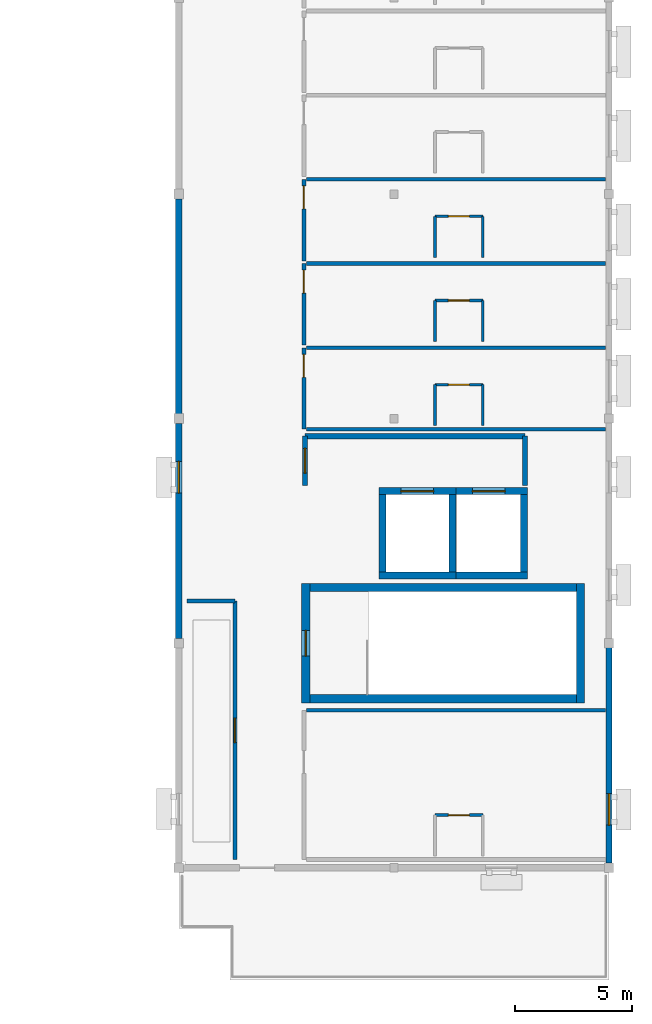
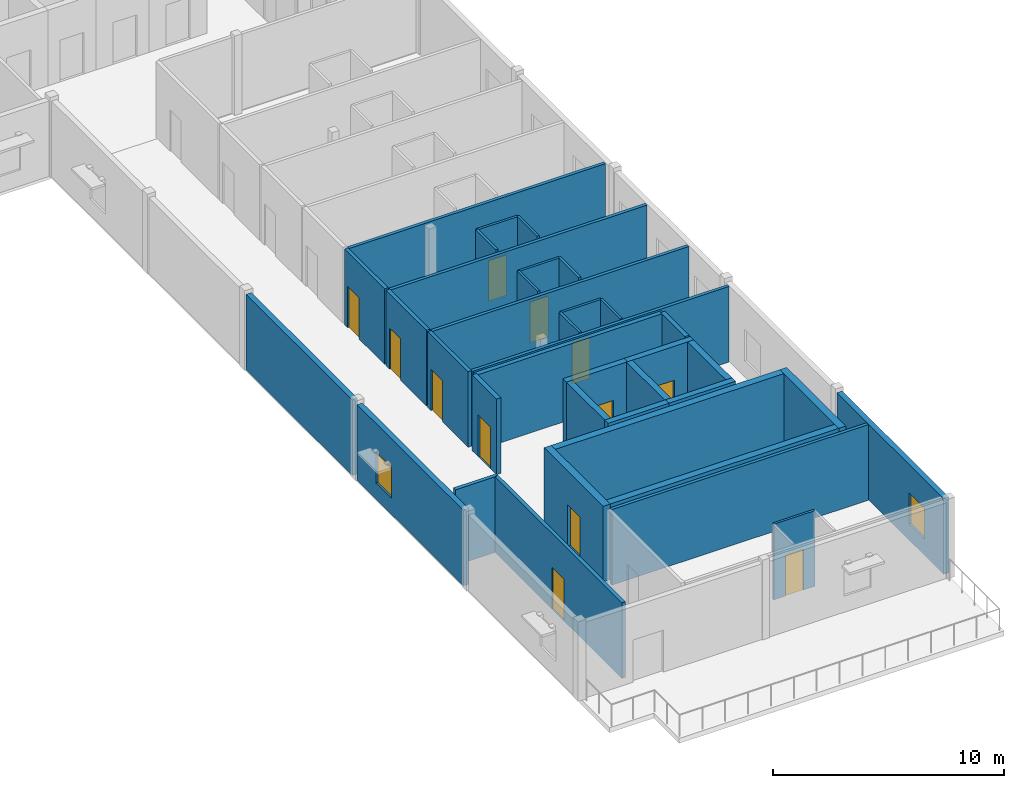
# One storey, part 4 of 9: 37 walls, 12 doors, 2 windows, 14 openings.
"""IFC4 building model written with IfcOpenShell, lengths in metres."""

from ifc_helpers import new_model, si_unit, direction, frame, frame_2d, origin, place, context, subcontext, project, spatial, rectangle, extrude, material, layer, layer_set, type_object, element, fill, save


model = new_model("IFC4")

# Units and contexts
model_context = context("Model", 3, precision=1e-05, world=origin(), true_north=direction((0.0, 1.0)))
body_context = subcontext(model_context, "Body", "Model", "MODEL_VIEW")
ifc_project = project(units=[si_unit("LENGTHUNIT", "METRE"), si_unit("AREAUNIT", "SQUARE_METRE"), si_unit("VOLUMEUNIT", "CUBIC_METRE"), si_unit("PLANEANGLEUNIT", "RADIAN"), si_unit("MASSUNIT", "GRAM", prefix="KILO")], contexts=[model_context])

# Site, building, storey
site_placement = place(None, origin())
site = spatial("IfcSite", under=ifc_project, at=site_placement, CompositionType="ELEMENT")
building_placement = place(site_placement, origin())
building = spatial("IfcBuilding", under=site, at=building_placement, Name="Veldera Park Congress Hotel", CompositionType="ELEMENT")
storey_placement = place(building_placement, frame((0.0, 0.0, 46.60009765625)))
storey = spatial("IfcBuildingStorey", under=building, at=storey_placement, Name="L11", CompositionType="ELEMENT", Elevation=46.60009765625)

# Wall, opening, window
ifc_material_1 = material(Name="Cross-laminated timber CLT V2M1.1", Category="wood")
ifc_layer_1 = layer(ifc_material_1, 0.264892578125)
ifc_layer_set_1 = layer_set([ifc_layer_1], Name="Cross-laminated timber CLT V2M1.1")
wall_type_1 = type_object("IfcWallType", Name="EW-CLT265", PredefinedType="STANDARD", material=ifc_layer_set_1)
wall_1_placement = place(storey_placement, frame((84.0, -18.406982421875, 0.0), z_axis=(0.0, 0.0, 1.0), x_axis=(0.0, 1.0, 0.0)))
wall_1 = element("IfcWall", 1, at=wall_1_placement, inside=storey, type_object=wall_type_1, Name="L11 Exterior Wall EW3-L11-0451", PredefinedType="STANDARD", context=body_context, shape_type="SweptSolid", body=[
    extrude(rectangle(XDim=9.2138671875, YDim=0.264892578125, at=frame_2d((4.60693359375, 0.0))), origin(), (0.0, 0.0, 1.0), 3.989990234375),
])
opening_1_placement = place(wall_1_placement, frame((1.62841796875, 0.0, 0.85009765625)))
opening_1 = element("IfcOpeningElement", 2, at=opening_1_placement, cuts=wall_1, Name="Opening WIN-1350", PredefinedType="OPENING", context=body_context, shape_type="SweptSolid", body=[
    extrude(rectangle(XDim=1.35009765625, YDim=1.64990234375, at=frame_2d((0.675048828125, 0.824951171875))), frame((0.0, 0.14453125, 0.0), z_axis=(0.0, -1.0, 0.0), x_axis=(1.0, 0.0, 0.0)), (0.0, 0.0, 1.0), 0.288818359375),
])
ifc_material_2 = material(Name="Low-E Triple Insulating Glass Unit (SHGC 0.22)", Category="glass")
window_type = type_object("IfcWindowType", Name="WIN-1350", PartitioningType="SINGLE_PANEL", PredefinedType="WINDOW", material=ifc_material_2)
window_1_placement = place(opening_1_placement, origin())
window_1 = element("IfcWindow", 3, at=window_1_placement, inside=storey, type_object=window_type, Name="L11 Window WIN-1350 344", OverallHeight=1.64990234375, OverallWidth=1.35009765625, PartitioningType="SINGLE_PANEL", PredefinedType="WINDOW", context=body_context, shape_type="SweptSolid", body=[
    extrude(rectangle(XDim=1.35009765625, YDim=1.64990234375, at=frame_2d((0.675048828125, 0.824951171875))), frame((0.0, 0.030029296875, 0.0), z_axis=(0.0, -1.0, 0.0), x_axis=(1.0, 0.0, 0.0)), (0.0, 0.0, 1.0), 0.06005859375),
])
fill(opening_1, window_1)

# Wall
wall_2_placement = place(storey_placement, frame((65.60009765625, 9.991943359375, 0.0), z_axis=(0.0, 0.0, 1.0), x_axis=(0.0, -1.0, 0.0)))
element("IfcWall", 4, at=wall_2_placement, inside=storey, type_object=wall_type_1, Name="L11 Exterior Wall EW3-L11-0468", PredefinedType="STANDARD", context=body_context, shape_type="SweptSolid", body=[
    extrude(rectangle(XDim=9.183837890625, YDim=0.264892578125, at=frame_2d((4.591796875, 0.0))), origin(), (0.0, 0.0, 1.0), 3.989990234375),
])

# Wall, opening, window
wall_3_placement = place(storey_placement, frame((65.60009765625, 0.39208984375, 0.0), z_axis=(0.0, 0.0, 1.0), x_axis=(0.0, -1.0, 0.0)))
wall_3 = element("IfcWall", 5, at=wall_3_placement, inside=storey, type_object=wall_type_1, Name="L11 Exterior Wall EW3-L11-0469", PredefinedType="STANDARD", context=body_context, shape_type="SweptSolid", body=[
    extrude(rectangle(XDim=9.18408203125, YDim=0.264892578125, at=frame_2d((4.592041015625, 0.0))), origin(), (0.0, 0.0, 1.0), 3.989990234375),
])
opening_2_placement = place(wall_3_placement, frame((1.62109375, 0.0, 0.85009765625)))
opening_2 = element("IfcOpeningElement", 6, at=opening_2_placement, cuts=wall_3, Name="Opening WIN-1350", PredefinedType="OPENING", context=body_context, shape_type="SweptSolid", body=[
    extrude(rectangle(XDim=1.35009765625, YDim=1.64990234375, at=frame_2d((0.675048828125, 0.824951171875))), frame((0.0, 0.14453125, 0.0), z_axis=(0.0, -1.0, 0.0), x_axis=(1.0, 0.0, 0.0)), (0.0, 0.0, 1.0), 0.288818359375),
])
window_2_placement = place(opening_2_placement, origin())
window_2 = element("IfcWindow", 7, at=window_2_placement, inside=storey, type_object=window_type, Name="L11 Window WIN-1350 355", OverallHeight=1.64990234375, OverallWidth=1.35009765625, PartitioningType="SINGLE_PANEL", PredefinedType="WINDOW", context=body_context, shape_type="SweptSolid", body=[
    extrude(rectangle(XDim=1.35009765625, YDim=1.64990234375, at=frame_2d((0.675048828125, 0.824951171875))), frame((0.0, 0.030029296875, 0.0), z_axis=(0.0, -1.0, 0.0), x_axis=(1.0, 0.0, 0.0)), (0.0, 0.0, 1.0), 0.06005859375),
])
fill(opening_2, window_2)

# Wall, opening, door
ifc_material_3 = material(Name="Fire-Rated Gypsum Board on Cold-Formed Steel Studs", Category="steel")
ifc_layer_2 = layer(ifc_material_3, 0.1201171875)
ifc_layer_set_2 = layer_set([ifc_layer_2], Name="Fire-Rated Gypsum Board on Cold-Formed Steel Studs")
wall_type_2 = type_object("IfcWallType", Name="IW-BATH120", PredefinedType="PARTITIONING", material=ifc_layer_set_2)
wall_4_placement = place(storey_placement, frame((76.550048828125, -16.35009765625, 0.0), z_axis=(0.0, 0.0, 1.0), x_axis=(1.0, 0.0, 0.0)))
wall_4 = element("IfcWall", 8, at=wall_4_placement, inside=storey, type_object=wall_type_2, Name="L11 Partition Wall IW3-L11-01799", PredefinedType="PARTITIONING", context=body_context, shape_type="SweptSolid", body=[
    extrude(rectangle(XDim=2.050048828125, YDim=0.1201171875, at=frame_2d((1.02490234375, 0.0))), origin(), (0.0, 0.0, 1.0), 3.989990234375),
])
opening_3_placement = place(wall_4_placement, frame((0.574951171875, 0.0, 0.0)))
opening_3 = element("IfcOpeningElement", 9, at=opening_3_placement, cuts=wall_4, Name="Opening ID-BATH090", PredefinedType="OPENING", context=body_context, shape_type="SweptSolid", body=[
    extrude(rectangle(XDim=0.89990234375, YDim=2.14990234375, at=frame_2d((0.449951171875, 1.074951171875))), frame((0.0, 0.072021484375, 0.0), z_axis=(0.0, -1.0, 0.0), x_axis=(1.0, 0.0, 0.0)), (0.0, 0.0, 1.0), 0.14404296875),
])
ifc_material_4 = material(Name="Solid Core White Oak Architectural Door", Category="wood")
door_type_1 = type_object("IfcDoorType", Name="ID-BATH090", OperationType="NOTDEFINED", PredefinedType="DOOR", material=ifc_material_4)
door_1_placement = place(opening_3_placement, origin())
door_1 = element("IfcDoor", 10, at=door_1_placement, inside=storey, type_object=door_type_1, Name="L11 En-suite 299 Door ID3-L11-0737 (DR3-ID3-L11-0737)", OperationType="SINGLE_SWING_LEFT", OverallHeight=2.14990234375, OverallWidth=0.89990234375, PredefinedType="DOOR", context=body_context, shape_type="SweptSolid", body=[
    extrude(rectangle(XDim=0.89990234375, YDim=2.14990234375, at=frame_2d((0.449951171875, 1.074951171875))), frame((0.0, 0.02490234375, 0.0), z_axis=(0.0, -1.0, 0.0), x_axis=(1.0, 0.0, 0.0)), (0.0, 0.0, 1.0), 0.050048828125),
])
fill(opening_3, door_1)

# Walls
for number, where, z_axis, x_axis, name in (
    (11, (76.550048828125, 0.300048828125, 0.0), (0.0, 0.0, 1.0), (0.0, 1.0, 0.0), "L11 Partition Wall IW3-L11-01803"),
    (12, (78.60009765625, 0.300048828125, 0.0), (0.0, 0.0, 1.0), (0.0, 1.0, 0.0), "L11 Partition Wall IW3-L11-01804"),
):
    element("IfcWall", number, at=place(storey_placement, frame(where, z_axis=z_axis, x_axis=x_axis)), inside=storey, type_object=wall_type_2, Name=name, PredefinedType="PARTITIONING", context=body_context, shape_type="SweptSolid", body=[
        extrude(rectangle(XDim=1.75, YDim=0.1201171875, at=frame_2d((0.875, 0.0))), origin(), (0.0, 0.0, 1.0), 3.989990234375),
    ])

# Wall, opening, door
wall_5_placement = place(storey_placement, frame((76.550048828125, 2.050048828125, 0.0), z_axis=(0.0, 0.0, 1.0), x_axis=(1.0, 0.0, 0.0)))
wall_5 = element("IfcWall", 13, at=wall_5_placement, inside=storey, type_object=wall_type_2, Name="L11 Partition Wall IW3-L11-01805", PredefinedType="PARTITIONING", context=body_context, shape_type="SweptSolid", body=[
    extrude(rectangle(XDim=2.050048828125, YDim=0.1201171875, at=frame_2d((1.02490234375, 0.0))), origin(), (0.0, 0.0, 1.0), 3.989990234375),
])
opening_4_placement = place(wall_5_placement, frame((0.574951171875, 0.0, 0.0)))
opening_4 = element("IfcOpeningElement", 14, at=opening_4_placement, cuts=wall_5, Name="Opening ID-BATH090", PredefinedType="OPENING", context=body_context, shape_type="SweptSolid", body=[
    extrude(rectangle(XDim=0.89990234375, YDim=2.14990234375, at=frame_2d((0.449951171875, 1.074951171875))), frame((0.0, 0.072021484375, 0.0), z_axis=(0.0, -1.0, 0.0), x_axis=(1.0, 0.0, 0.0)), (0.0, 0.0, 1.0), 0.14404296875),
])
door_2_placement = place(opening_4_placement, origin())
door_2 = element("IfcDoor", 15, at=door_2_placement, inside=storey, type_object=door_type_1, Name="L11 En-suite 300 Door ID3-L11-0739 (DR3-ID3-L11-0739)", OperationType="SINGLE_SWING_LEFT", OverallHeight=2.14990234375, OverallWidth=0.89990234375, PredefinedType="DOOR", context=body_context, shape_type="SweptSolid", body=[
    extrude(rectangle(XDim=0.89990234375, YDim=2.14990234375, at=frame_2d((0.449951171875, 1.074951171875))), frame((0.0, 0.02490234375, 0.0), z_axis=(0.0, -1.0, 0.0), x_axis=(1.0, 0.0, 0.0)), (0.0, 0.0, 1.0), 0.050048828125),
])
fill(opening_4, door_2)

# Walls
for number, where, z_axis, x_axis, name in (
    (16, (76.550048828125, 3.89990234375, 0.0), (0.0, 0.0, 1.0), (0.0, 1.0, 0.0), "L11 Partition Wall IW3-L11-01808"),
    (17, (78.60009765625, 3.89990234375, 0.0), (0.0, 0.0, 1.0), (0.0, 1.0, 0.0), "L11 Partition Wall IW3-L11-01809"),
):
    element("IfcWall", number, at=place(storey_placement, frame(where, z_axis=z_axis, x_axis=x_axis)), inside=storey, type_object=wall_type_2, Name=name, PredefinedType="PARTITIONING", context=body_context, shape_type="SweptSolid", body=[
        extrude(rectangle(XDim=1.75, YDim=0.1201171875, at=frame_2d((0.875, 0.0))), origin(), (0.0, 0.0, 1.0), 3.989990234375),
    ])

# Wall, opening, door
wall_6_placement = place(storey_placement, frame((76.550048828125, 5.64990234375, 0.0), z_axis=(0.0, 0.0, 1.0), x_axis=(1.0, 0.0, 0.0)))
wall_6 = element("IfcWall", 18, at=wall_6_placement, inside=storey, type_object=wall_type_2, Name="L11 Partition Wall IW3-L11-01810", PredefinedType="PARTITIONING", context=body_context, shape_type="SweptSolid", body=[
    extrude(rectangle(XDim=2.050048828125, YDim=0.1201171875, at=frame_2d((1.02490234375, 0.0))), origin(), (0.0, 0.0, 1.0), 3.989990234375),
])
opening_5_placement = place(wall_6_placement, frame((0.574951171875, 0.0, 0.0)))
opening_5 = element("IfcOpeningElement", 19, at=opening_5_placement, cuts=wall_6, Name="Opening ID-BATH090", PredefinedType="OPENING", context=body_context, shape_type="SweptSolid", body=[
    extrude(rectangle(XDim=0.89990234375, YDim=2.14990234375, at=frame_2d((0.449951171875, 1.074951171875))), frame((0.0, 0.072021484375, 0.0), z_axis=(0.0, -1.0, 0.0), x_axis=(1.0, 0.0, 0.0)), (0.0, 0.0, 1.0), 0.14404296875),
])
door_3_placement = place(opening_5_placement, origin())
door_3 = element("IfcDoor", 20, at=door_3_placement, inside=storey, type_object=door_type_1, Name="L11 En-suite 301 Door ID3-L11-0741 (DR3-ID3-L11-0741)", OperationType="SINGLE_SWING_LEFT", OverallHeight=2.14990234375, OverallWidth=0.89990234375, PredefinedType="DOOR", context=body_context, shape_type="SweptSolid", body=[
    extrude(rectangle(XDim=0.89990234375, YDim=2.14990234375, at=frame_2d((0.449951171875, 1.074951171875))), frame((0.0, 0.02490234375, 0.0), z_axis=(0.0, -1.0, 0.0), x_axis=(1.0, 0.0, 0.0)), (0.0, 0.0, 1.0), 0.050048828125),
])
fill(opening_5, door_3)

# Walls
for number, where, z_axis, x_axis, name in (
    (21, (76.550048828125, 7.5, 0.0), (0.0, 0.0, 1.0), (0.0, 1.0, 0.0), "L11 Partition Wall IW3-L11-01813"),
    (22, (78.60009765625, 7.5, 0.0), (0.0, 0.0, 1.0), (0.0, 1.0, 0.0), "L11 Partition Wall IW3-L11-01814"),
):
    element("IfcWall", number, at=place(storey_placement, frame(where, z_axis=z_axis, x_axis=x_axis)), inside=storey, type_object=wall_type_2, Name=name, PredefinedType="PARTITIONING", context=body_context, shape_type="SweptSolid", body=[
        extrude(rectangle(XDim=1.75, YDim=0.1201171875, at=frame_2d((0.875, 0.0))), origin(), (0.0, 0.0, 1.0), 3.989990234375),
    ])

# Wall, opening, door
wall_7_placement = place(storey_placement, frame((76.550048828125, 9.25, 0.0), z_axis=(0.0, 0.0, 1.0), x_axis=(1.0, 0.0, 0.0)))
wall_7 = element("IfcWall", 23, at=wall_7_placement, inside=storey, type_object=wall_type_2, Name="L11 Partition Wall IW3-L11-01815", PredefinedType="PARTITIONING", context=body_context, shape_type="SweptSolid", body=[
    extrude(rectangle(XDim=2.050048828125, YDim=0.1201171875, at=frame_2d((1.02490234375, 0.0))), origin(), (0.0, 0.0, 1.0), 3.989990234375),
])
opening_6_placement = place(wall_7_placement, frame((0.574951171875, 0.0, 0.0)))
opening_6 = element("IfcOpeningElement", 24, at=opening_6_placement, cuts=wall_7, Name="Opening ID-BATH090", PredefinedType="OPENING", context=body_context, shape_type="SweptSolid", body=[
    extrude(rectangle(XDim=0.89990234375, YDim=2.14990234375, at=frame_2d((0.449951171875, 1.074951171875))), frame((0.0, 0.072021484375, 0.0), z_axis=(0.0, -1.0, 0.0), x_axis=(1.0, 0.0, 0.0)), (0.0, 0.0, 1.0), 0.14404296875),
])
door_4_placement = place(opening_6_placement, origin())
door_4 = element("IfcDoor", 25, at=door_4_placement, inside=storey, type_object=door_type_1, Name="L11 En-suite 302 Door ID3-L11-0743 (DR3-ID3-L11-0743)", OperationType="SINGLE_SWING_LEFT", OverallHeight=2.14990234375, OverallWidth=0.89990234375, PredefinedType="DOOR", context=body_context, shape_type="SweptSolid", body=[
    extrude(rectangle(XDim=0.89990234375, YDim=2.14990234375, at=frame_2d((0.449951171875, 1.074951171875))), frame((0.0, 0.02490234375, 0.0), z_axis=(0.0, -1.0, 0.0), x_axis=(1.0, 0.0, 0.0)), (0.0, 0.0, 1.0), 0.050048828125),
])
fill(opening_6, door_4)

ifc_layer_3 = layer(ifc_material_3, 0.179931640625)
ifc_layer_set_3 = layer_set([ifc_layer_3], Name="Fire-Rated Gypsum Board on Cold-Formed Steel Studs")
wall_type_3 = type_object("IfcWallType", Name="IW-CORR180", PredefinedType="PARTITIONING", material=ifc_layer_set_3)
wall_8_placement = place(storey_placement, frame((68.0, -18.25, 0.0), z_axis=(0.0, 0.0, 1.0), x_axis=(0.0, 1.0, 0.0)))
wall_8 = element("IfcWall", 26, at=wall_8_placement, inside=storey, type_object=wall_type_3, Name="L11 Partition Wall IW3-L11-00356", PredefinedType="PARTITIONING", context=body_context, shape_type="SweptSolid", body=[
    extrude(rectangle(XDim=11.050048828125, YDim=0.179931640625, at=frame_2d((5.52490234375, 0.0))), origin(), (0.0, 0.0, 1.0), 3.989990234375),
])
opening_7_placement = place(wall_8_placement, frame((5.0, 0.0, 0.0)))
opening_7 = element("IfcOpeningElement", 27, at=opening_7_placement, cuts=wall_8, Name="Opening ID-MEET105", PredefinedType="OPENING", context=body_context, shape_type="SweptSolid", body=[
    extrude(rectangle(XDim=1.050048828125, YDim=2.199951171875, at=frame_2d((0.52490234375, 1.10009765625))), frame((0.0, 0.10205078125, 0.0), z_axis=(0.0, -1.0, 0.0), x_axis=(1.0, 0.0, 0.0)), (0.0, 0.0, 1.0), 0.203857421875),
])
door_type_2 = type_object("IfcDoorType", Name="ID-MEET105", OperationType="NOTDEFINED", PredefinedType="DOOR", material=ifc_material_4)
door_5_placement = place(opening_7_placement, origin())
door_5 = element("IfcDoor", 28, at=door_5_placement, inside=storey, type_object=door_type_2, Name="L11 Crown Rooftop Observatory Bar and Kitchen Door ID3-L11-0136 (DR3-ID3-L11-0136)", OperationType="SINGLE_SWING_LEFT", OverallHeight=2.199951171875, OverallWidth=1.050048828125, PredefinedType="DOOR", context=body_context, shape_type="SweptSolid", body=[
    extrude(rectangle(XDim=1.050048828125, YDim=2.199951171875, at=frame_2d((0.52490234375, 1.10009765625))), frame((0.0, 0.02490234375, 0.0), z_axis=(0.0, -1.0, 0.0), x_axis=(1.0, 0.0, 0.0)), (0.0, 0.0, 1.0), 0.050048828125),
])
fill(opening_7, door_5)

# Wall
wall_9_placement = place(storey_placement, frame((68.0, -7.199951171875, 0.0), z_axis=(0.0, 0.0, 1.0), x_axis=(-1.0, 0.0, 0.0)))
element("IfcWall", 29, at=wall_9_placement, inside=storey, type_object=wall_type_3, Name="L11 Partition Wall IW3-L11-00357", PredefinedType="PARTITIONING", context=body_context, shape_type="SweptSolid", body=[
    extrude(rectangle(XDim=2.050048828125, YDim=0.179931640625, at=frame_2d((1.02490234375, 0.0))), origin(), (0.0, 0.0, 1.0), 3.989990234375),
])

# Wall, opening, door
wall_10_placement = place(storey_placement, frame((70.949951171875, 3.6298828125, 0.0), z_axis=(0.0, 0.0, 1.0), x_axis=(0.0, -1.0, 0.0)))
wall_10 = element("IfcWall", 30, at=wall_10_placement, inside=storey, type_object=wall_type_3, Name="L11 Corridor Wall IW3-L11-01800", PredefinedType="PARTITIONING", context=body_context, shape_type="SweptSolid", body=[
    extrude(rectangle(XDim=3.47998046875, YDim=0.179931640625, at=frame_2d((1.739990234375, 0.0))), origin(), (0.0, 0.0, 1.0), 3.989990234375),
])
opening_8_placement = place(wall_10_placement, frame((0.280029296875, 0.0, 0.0)))
opening_8 = element("IfcOpeningElement", 31, at=opening_8_placement, cuts=wall_10, Name="Opening ID-UNIT098", PredefinedType="OPENING", context=body_context, shape_type="SweptSolid", body=[
    extrude(rectangle(XDim=0.97998046875, YDim=2.179931640625, at=frame_2d((0.489990234375, 1.08984375))), frame((0.0, 0.10205078125, 0.0), z_axis=(0.0, -1.0, 0.0), x_axis=(1.0, 0.0, 0.0)), (0.0, 0.0, 1.0), 0.203857421875),
])
door_type_3 = type_object("IfcDoorType", Name="ID-UNIT098", OperationType="NOTDEFINED", PredefinedType="DOOR", material=ifc_material_4)
door_6_placement = place(opening_8_placement, origin())
door_6 = element("IfcDoor", 32, at=door_6_placement, inside=storey, type_object=door_type_3, Name="L11 Guestroom 300 Entry Door (DR3-UD3-L11-300)", OperationType="SINGLE_SWING_RIGHT", OverallHeight=2.179931640625, OverallWidth=0.97998046875, PredefinedType="DOOR", context=body_context, shape_type="SweptSolid", body=[
    extrude(rectangle(XDim=0.97998046875, YDim=2.179931640625, at=frame_2d((0.489990234375, 1.08984375))), frame((0.0, 0.02490234375, 0.0), z_axis=(0.0, -1.0, 0.0), x_axis=(1.0, 0.0, 0.0)), (0.0, 0.0, 1.0), 0.050048828125),
])
fill(opening_8, door_6)

wall_11_placement = place(storey_placement, frame((70.949951171875, 7.22998046875, 0.0), z_axis=(0.0, 0.0, 1.0), x_axis=(0.0, -1.0, 0.0)))
wall_11 = element("IfcWall", 33, at=wall_11_placement, inside=storey, type_object=wall_type_3, Name="L11 Corridor Wall IW3-L11-01806", PredefinedType="PARTITIONING", context=body_context, shape_type="SweptSolid", body=[
    extrude(rectangle(XDim=3.47998046875, YDim=0.179931640625, at=frame_2d((1.739990234375, 0.0))), origin(), (0.0, 0.0, 1.0), 3.989990234375),
])
opening_9_placement = place(wall_11_placement, frame((0.280029296875, 0.0, 0.0)))
opening_9 = element("IfcOpeningElement", 34, at=opening_9_placement, cuts=wall_11, Name="Opening ID-UNIT098", PredefinedType="OPENING", context=body_context, shape_type="SweptSolid", body=[
    extrude(rectangle(XDim=0.97998046875, YDim=2.179931640625, at=frame_2d((0.489990234375, 1.08984375))), frame((0.0, 0.10205078125, 0.0), z_axis=(0.0, -1.0, 0.0), x_axis=(1.0, 0.0, 0.0)), (0.0, 0.0, 1.0), 0.203857421875),
])
door_7_placement = place(opening_9_placement, origin())
door_7 = element("IfcDoor", 35, at=door_7_placement, inside=storey, type_object=door_type_3, Name="L11 Guestroom 301 Entry Door (DR3-UD3-L11-301)", OperationType="SINGLE_SWING_RIGHT", OverallHeight=2.179931640625, OverallWidth=0.97998046875, PredefinedType="DOOR", context=body_context, shape_type="SweptSolid", body=[
    extrude(rectangle(XDim=0.97998046875, YDim=2.179931640625, at=frame_2d((0.489990234375, 1.08984375))), frame((0.0, 0.02490234375, 0.0), z_axis=(0.0, -1.0, 0.0), x_axis=(1.0, 0.0, 0.0)), (0.0, 0.0, 1.0), 0.050048828125),
])
fill(opening_9, door_7)

wall_12_placement = place(storey_placement, frame((70.949951171875, 10.830078125, 0.0), z_axis=(0.0, 0.0, 1.0), x_axis=(0.0, -1.0, 0.0)))
wall_12 = element("IfcWall", 36, at=wall_12_placement, inside=storey, type_object=wall_type_3, Name="L11 Corridor Wall IW3-L11-01811", PredefinedType="PARTITIONING", context=body_context, shape_type="SweptSolid", body=[
    extrude(rectangle(XDim=3.47998046875, YDim=0.179931640625, at=frame_2d((1.739990234375, 0.0))), origin(), (0.0, 0.0, 1.0), 3.989990234375),
])
opening_10_placement = place(wall_12_placement, frame((0.280029296875, 0.0, 0.0)))
opening_10 = element("IfcOpeningElement", 37, at=opening_10_placement, cuts=wall_12, Name="Opening ID-UNIT098", PredefinedType="OPENING", context=body_context, shape_type="SweptSolid", body=[
    extrude(rectangle(XDim=0.97998046875, YDim=2.179931640625, at=frame_2d((0.489990234375, 1.08984375))), frame((0.0, 0.10205078125, 0.0), z_axis=(0.0, -1.0, 0.0), x_axis=(1.0, 0.0, 0.0)), (0.0, 0.0, 1.0), 0.203857421875),
])
door_8_placement = place(opening_10_placement, origin())
door_8 = element("IfcDoor", 38, at=door_8_placement, inside=storey, type_object=door_type_3, Name="L11 Guestroom 302 Entry Door (DR3-UD3-L11-302)", OperationType="SINGLE_SWING_RIGHT", OverallHeight=2.179931640625, OverallWidth=0.97998046875, PredefinedType="DOOR", context=body_context, shape_type="SweptSolid", body=[
    extrude(rectangle(XDim=0.97998046875, YDim=2.179931640625, at=frame_2d((0.489990234375, 1.08984375))), frame((0.0, 0.02490234375, 0.0), z_axis=(0.0, -1.0, 0.0), x_axis=(1.0, 0.0, 0.0)), (0.0, 0.0, 1.0), 0.050048828125),
])
fill(opening_10, door_8)

# Walls
ifc_material_5 = material(Name="Concrete f'c 40 MPa (5,800 psi)", Category="concrete")
ifc_layer_4 = layer(ifc_material_5, 0.219970703125)
ifc_layer_set_4 = layer_set([ifc_layer_4], Name="Concrete f'c 40 MPa (5,800 psi)")
wall_type_4 = type_object("IfcWallType", Name="IW-FIRE220", PredefinedType="STANDARD", material=ifc_layer_set_4)
wall_13_placement = place(storey_placement, frame((80.39990234375, -2.25, 0.0), z_axis=(0.0, 0.0, 1.0), x_axis=(0.0, 1.0, 0.0)))
element("IfcWall", 39, at=wall_13_placement, inside=storey, type_object=wall_type_4, Name="L11 Partition Wall IW3-L11-00347", PredefinedType="STANDARD", context=body_context, shape_type="SweptSolid", body=[
    extrude(rectangle(XDim=2.10009765625, YDim=0.219970703125, at=frame_2d((1.050048828125, 0.0))), origin(), (0.0, 0.0, 1.0), 3.989990234375),
])
wall_14_placement = place(storey_placement, frame((80.39990234375, -0.14990234375, 0.0), z_axis=(0.0, 0.0, 1.0), x_axis=(-1.0, 0.0, 0.0)))
element("IfcWall", 40, at=wall_14_placement, inside=storey, type_object=wall_type_4, Name="L11 Partition Wall IW3-L11-00348", PredefinedType="STANDARD", context=body_context, shape_type="SweptSolid", body=[
    extrude(rectangle(XDim=9.39990234375, YDim=0.219970703125, at=frame_2d((4.699951171875, 0.0))), origin(), (0.0, 0.0, 1.0), 3.989990234375),
])

# Wall, opening, door
wall_15_placement = place(storey_placement, frame((71.0, -0.14990234375, 0.0), z_axis=(0.0, 0.0, 1.0), x_axis=(0.0, -1.0, 0.0)))
wall_15 = element("IfcWall", 41, at=wall_15_placement, inside=storey, type_object=wall_type_4, Name="L11 Partition Wall IW3-L11-00349", PredefinedType="STANDARD", context=body_context, shape_type="SweptSolid", body=[
    extrude(rectangle(XDim=2.10009765625, YDim=0.219970703125, at=frame_2d((1.050048828125, 0.0))), origin(), (0.0, 0.0, 1.0), 3.989990234375),
])
opening_11_placement = place(wall_15_placement, frame((0.52490234375, 0.0, 0.0)))
opening_11 = element("IfcOpeningElement", 42, at=opening_11_placement, cuts=wall_15, Name="Opening ID-MEET105", PredefinedType="OPENING", context=body_context, shape_type="SweptSolid", body=[
    extrude(rectangle(XDim=1.050048828125, YDim=2.199951171875, at=frame_2d((0.52490234375, 1.10009765625))), frame((0.0, 0.1220703125, 0.0), z_axis=(0.0, -1.0, 0.0), x_axis=(1.0, 0.0, 0.0)), (0.0, 0.0, 1.0), 0.243896484375),
])
door_9_placement = place(opening_11_placement, origin())
door_9 = element("IfcDoor", 43, at=door_9_placement, inside=storey, type_object=door_type_2, Name="L11 Service Lift Lobby Door ID3-L11-0133 (DR3-ID3-L11-0133)", OperationType="SINGLE_SWING_RIGHT", OverallHeight=2.199951171875, OverallWidth=1.050048828125, PredefinedType="DOOR", context=body_context, shape_type="SweptSolid", body=[
    extrude(rectangle(XDim=1.050048828125, YDim=2.199951171875, at=frame_2d((0.52490234375, 1.10009765625))), frame((0.0, 0.02490234375, 0.0), z_axis=(0.0, -1.0, 0.0), x_axis=(1.0, 0.0, 0.0)), (0.0, 0.0, 1.0), 0.050048828125),
])
fill(opening_11, door_9)

# Walls
ifc_layer_5 = layer(ifc_material_1, 0.159912109375)
ifc_layer_set_5 = layer_set([ifc_layer_5], Name="Cross-laminated timber CLT V2M1.1")
wall_type_5 = type_object("IfcWallType", Name="IW-UNIT160", PredefinedType="PARTITIONING", material=ifc_layer_set_5)
for number, where, z_axis, x_axis, name in (
    (44, (71.050048828125, -11.8701171875, 0.0), (0.0, 0.0, 1.0), (1.0, 0.0, 0.0), "L11 Partition Wall IW3-L11-01796"),
    (45, (71.050048828125, 0.14990234375, 0.0), (0.0, 0.0, 1.0), (1.0, 0.0, 0.0), "L11 Partition Wall IW3-L11-01801"),
    (46, (71.050048828125, 3.6298828125, 0.0), (0.0, 0.0, 1.0), (1.0, 0.0, 0.0), "L11 Partition Wall IW3-L11-01802"),
    (47, (71.050048828125, 7.22998046875, 0.0), (0.0, 0.0, 1.0), (1.0, 0.0, 0.0), "L11 Partition Wall IW3-L11-01807"),
    (48, (71.050048828125, 10.830078125, 0.0), (0.0, 0.0, 1.0), (1.0, 0.0, 0.0), "L11 Partition Wall IW3-L11-01812"),
):
    element("IfcWall", number, at=place(storey_placement, frame(where, z_axis=z_axis, x_axis=x_axis)), inside=storey, type_object=wall_type_5, Name=name, PredefinedType="PARTITIONING", context=body_context, shape_type="SweptSolid", body=[
        extrude(rectangle(XDim=12.7900390625, YDim=0.159912109375, at=frame_2d((6.39501953125, 0.0))), origin(), (0.0, 0.0, 1.0), 3.989990234375),
    ])
ifc_layer_6 = layer(ifc_material_5, 0.35009765625)
ifc_layer_set_6 = layer_set([ifc_layer_6], Name="Concrete f'c 40 MPa (5,800 psi)")
wall_type_6 = type_object("IfcWallType", Name="SW-CORE350", PredefinedType="SHEAR", material=ifc_layer_set_6)
wall_16_placement = place(storey_placement, frame((70.85009765625, -11.375, 0.0), z_axis=(0.0, 0.0, 1.0), x_axis=(1.0, 0.0, 0.0)))
element("IfcWall", 49, at=wall_16_placement, inside=storey, type_object=wall_type_6, Name="Stair ST2 Core Wall L11-S", PredefinedType="SHEAR", context=body_context, shape_type="SweptSolid", body=[
    extrude(rectangle(XDim=12.099853515625, YDim=0.35009765625, at=frame_2d((6.0498046875, 0.0))), origin(), (0.0, 0.0, 1.0), 3.989990234375),
])
wall_17_placement = place(storey_placement, frame((82.77490234375, -11.550048828125, 0.0), z_axis=(0.0, 0.0, 1.0), x_axis=(0.0, 1.0, 0.0)))
element("IfcWall", 50, at=wall_17_placement, inside=storey, type_object=wall_type_6, Name="Stair ST2 Core Wall L11-E", PredefinedType="SHEAR", context=body_context, shape_type="SweptSolid", body=[
    extrude(rectangle(XDim=5.10009765625, YDim=0.35009765625, at=frame_2d((2.550048828125, 0.0))), origin(), (0.0, 0.0, 1.0), 3.989990234375),
])
wall_18_placement = place(storey_placement, frame((82.949951171875, -6.625, 0.0), z_axis=(0.0, 0.0, 1.0), x_axis=(-1.0, 0.0, 0.0)))
element("IfcWall", 51, at=wall_18_placement, inside=storey, type_object=wall_type_6, Name="Stair ST2 Core Wall L11-N", PredefinedType="SHEAR", context=body_context, shape_type="SweptSolid", body=[
    extrude(rectangle(XDim=12.099853515625, YDim=0.35009765625, at=frame_2d((6.0498046875, 0.0))), origin(), (0.0, 0.0, 1.0), 3.989990234375),
])

# Wall, opening, door
wall_19_placement = place(storey_placement, frame((71.02490234375, -6.449951171875, 0.0), z_axis=(0.0, 0.0, 1.0), x_axis=(0.0, -1.0, 0.0)))
wall_19 = element("IfcWall", 52, at=wall_19_placement, inside=storey, type_object=wall_type_6, Name="Stair ST2 Core Wall L11-W", PredefinedType="SHEAR", context=body_context, shape_type="SweptSolid", body=[
    extrude(rectangle(XDim=5.10009765625, YDim=0.35009765625, at=frame_2d((2.550048828125, 0.0))), origin(), (0.0, 0.0, 1.0), 3.989990234375),
])
opening_12_placement = place(wall_19_placement, frame((2.0, 0.0, 0.0)))
opening_12 = element("IfcOpeningElement", 53, at=opening_12_placement, cuts=wall_19, Name="Opening ID-STAIR110", PredefinedType="OPENING", context=body_context, shape_type="SweptSolid", body=[
    extrude(rectangle(XDim=1.10009765625, YDim=2.199951171875, at=frame_2d((0.550048828125, 1.10009765625))), frame((0.0, 0.18701171875, 0.0), z_axis=(0.0, -1.0, 0.0), x_axis=(1.0, 0.0, 0.0)), (0.0, 0.0, 1.0), 0.3740234375),
])
ifc_material_6 = material(Name="Hollow Metal Fire-Rated Steel Door", Category="steel")
door_type_4 = type_object("IfcDoorType", Name="ID-STAIR110", OperationType="NOTDEFINED", PredefinedType="DOOR", material=ifc_material_6)
door_10_placement = place(opening_12_placement, origin())
door_10 = element("IfcDoor", 54, at=door_10_placement, inside=storey, type_object=door_type_4, Name="L11 Stair ST2 Fire Door (DR3-SD-ST2-L11)", OperationType="SINGLE_SWING_RIGHT", OverallHeight=2.199951171875, OverallWidth=1.10009765625, PredefinedType="DOOR", context=body_context, shape_type="SweptSolid", body=[
    extrude(rectangle(XDim=1.10009765625, YDim=2.199951171875, at=frame_2d((0.550048828125, 1.10009765625))), frame((0.0, 0.02490234375, 0.0), z_axis=(0.0, -1.0, 0.0), x_axis=(1.0, 0.0, 0.0)), (0.0, 0.0, 1.0), 0.050048828125),
])
fill(opening_12, door_10)

# Wall
ifc_layer_7 = layer(ifc_material_5, 0.300048828125)
ifc_layer_set_7 = layer_set([ifc_layer_7], Name="Concrete f'c 40 MPa (5,800 psi)")
wall_type_7 = type_object("IfcWallType", Name="SW-SHFT300", PredefinedType="SHEAR", material=ifc_layer_set_7)
wall_20_placement = place(storey_placement, frame((74.14990234375, -6.10009765625, 0.0), z_axis=(0.0, 0.0, 1.0), x_axis=(1.0, 0.0, 0.0)))
element("IfcWall", 55, at=wall_20_placement, inside=storey, type_object=wall_type_7, Name="Lift SL-01 Shaft Wall L11-S", PredefinedType="SHEAR", context=body_context, shape_type="SweptSolid", body=[
    extrude(rectangle(XDim=3.300048828125, YDim=0.300048828125, at=frame_2d((1.64990234375, 0.0))), origin(), (0.0, 0.0, 1.0), 3.989990234375),
])

# Wall, opening, door
wall_21_placement = place(storey_placement, frame((77.449951171875, -2.5, 0.0), z_axis=(0.0, 0.0, 1.0), x_axis=(-1.0, 0.0, 0.0)))
wall_21 = element("IfcWall", 56, at=wall_21_placement, inside=storey, type_object=wall_type_7, Name="Lift SL-01 Shaft Wall L11-N", PredefinedType="SHEAR", context=body_context, shape_type="SweptSolid", body=[
    extrude(rectangle(XDim=3.300048828125, YDim=0.300048828125, at=frame_2d((1.64990234375, 0.0))), origin(), (0.0, 0.0, 1.0), 3.989990234375),
])
opening_13_placement = place(wall_21_placement, frame((0.949951171875, 0.0, 0.0)))
opening_13 = element("IfcOpeningElement", 57, at=opening_13_placement, cuts=wall_21, Name="Opening LD-140", PredefinedType="OPENING", context=body_context, shape_type="SweptSolid", body=[
    extrude(rectangle(XDim=1.39990234375, YDim=2.199951171875, at=frame_2d((0.699951171875, 1.10009765625))), frame((0.0, 0.162109375, 0.0), z_axis=(0.0, -1.0, 0.0), x_axis=(1.0, 0.0, 0.0)), (0.0, 0.0, 1.0), 0.323974609375),
])
door_type_5 = type_object("IfcDoorType", Name="LD-140", OperationType="DOUBLE_DOOR_SLIDING", PredefinedType="DOOR", material=ifc_material_6)
door_11_placement = place(opening_13_placement, origin())
door_11 = element("IfcDoor", 58, at=door_11_placement, inside=storey, type_object=door_type_5, Name="L11 Lift SL-01 Landing Door (DR3-LD-SL-01-L11)", OperationType="DOUBLE_DOOR_SLIDING", OverallHeight=2.199951171875, OverallWidth=1.39990234375, PredefinedType="DOOR", context=body_context, shape_type="SweptSolid", body=[
    extrude(rectangle(XDim=1.39990234375, YDim=2.199951171875, at=frame_2d((0.699951171875, 1.10009765625))), frame((0.0, 0.02490234375, 0.0), z_axis=(0.0, -1.0, 0.0), x_axis=(1.0, 0.0, 0.0)), (0.0, 0.0, 1.0), 0.050048828125),
])
fill(opening_13, door_11)

# Walls
for number, where, z_axis, x_axis, name in (
    (59, (77.300048828125, -5.949951171875, 0.0), (0.0, 0.0, 1.0), (0.0, 1.0, 0.0), "Lift SL-01 Shaft Wall L11-E"),
    (60, (74.300048828125, -2.64990234375, 0.0), (0.0, 0.0, 1.0), (0.0, -1.0, 0.0), "Lift SL-01 Shaft Wall L11-W"),
    (61, (77.199951171875, -6.10009765625, 0.0), (0.0, 0.0, 1.0), (1.0, 0.0, 0.0), "Lift SL-02 Shaft Wall L11-S"),
):
    element("IfcWall", number, at=place(storey_placement, frame(where, z_axis=z_axis, x_axis=x_axis)), inside=storey, type_object=wall_type_7, Name=name, PredefinedType="SHEAR", context=body_context, shape_type="SweptSolid", body=[
        extrude(rectangle(XDim=3.300048828125, YDim=0.300048828125, at=frame_2d((1.64990234375, 0.0))), origin(), (0.0, 0.0, 1.0), 3.989990234375),
    ])

# Wall, opening, door
wall_22_placement = place(storey_placement, frame((80.5, -2.5, 0.0), z_axis=(0.0, 0.0, 1.0), x_axis=(-1.0, 0.0, 0.0)))
wall_22 = element("IfcWall", 62, at=wall_22_placement, inside=storey, type_object=wall_type_7, Name="Lift SL-02 Shaft Wall L11-N", PredefinedType="SHEAR", context=body_context, shape_type="SweptSolid", body=[
    extrude(rectangle(XDim=3.300048828125, YDim=0.300048828125, at=frame_2d((1.64990234375, 0.0))), origin(), (0.0, 0.0, 1.0), 3.989990234375),
])
opening_14_placement = place(wall_22_placement, frame((0.949951171875, 0.0, 0.0)))
opening_14 = element("IfcOpeningElement", 63, at=opening_14_placement, cuts=wall_22, Name="Opening LD-140", PredefinedType="OPENING", context=body_context, shape_type="SweptSolid", body=[
    extrude(rectangle(XDim=1.39990234375, YDim=2.199951171875, at=frame_2d((0.699951171875, 1.10009765625))), frame((0.0, 0.162109375, 0.0), z_axis=(0.0, -1.0, 0.0), x_axis=(1.0, 0.0, 0.0)), (0.0, 0.0, 1.0), 0.323974609375),
])
door_12_placement = place(opening_14_placement, origin())
door_12 = element("IfcDoor", 64, at=door_12_placement, inside=storey, type_object=door_type_5, Name="L11 Lift SL-02 Landing Door (DR3-LD-SL-02-L11)", OperationType="DOUBLE_DOOR_SLIDING", OverallHeight=2.199951171875, OverallWidth=1.39990234375, PredefinedType="DOOR", context=body_context, shape_type="SweptSolid", body=[
    extrude(rectangle(XDim=1.39990234375, YDim=2.199951171875, at=frame_2d((0.699951171875, 1.10009765625))), frame((0.0, 0.02490234375, 0.0), z_axis=(0.0, -1.0, 0.0), x_axis=(1.0, 0.0, 0.0)), (0.0, 0.0, 1.0), 0.050048828125),
])
fill(opening_14, door_12)

# Wall
wall_23_placement = place(storey_placement, frame((80.35009765625, -5.949951171875, 0.0), z_axis=(0.0, 0.0, 1.0), x_axis=(0.0, 1.0, 0.0)))
element("IfcWall", 65, at=wall_23_placement, inside=storey, type_object=wall_type_7, Name="Lift SL-02 Shaft Wall L11-E", PredefinedType="SHEAR", context=body_context, shape_type="SweptSolid", body=[
    extrude(rectangle(XDim=3.300048828125, YDim=0.300048828125, at=frame_2d((1.64990234375, 0.0))), origin(), (0.0, 0.0, 1.0), 3.989990234375),
])

save(model, "model.ifc")
